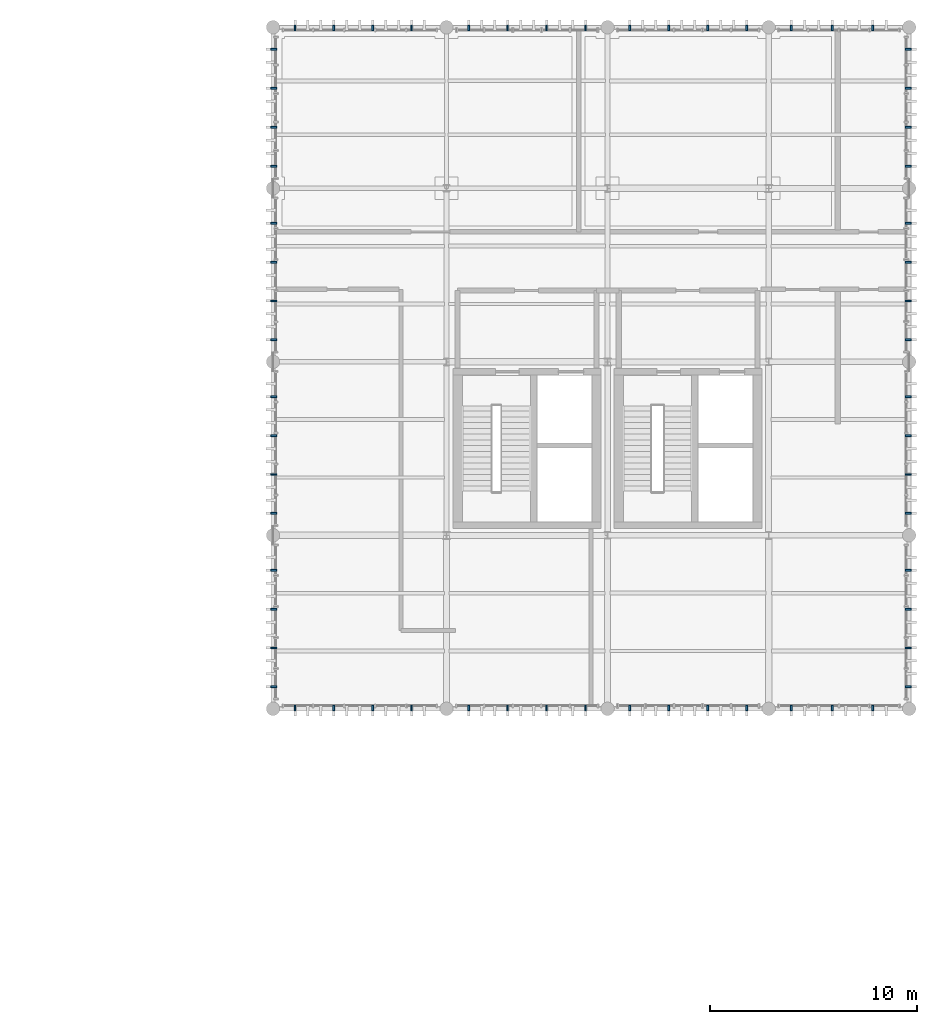
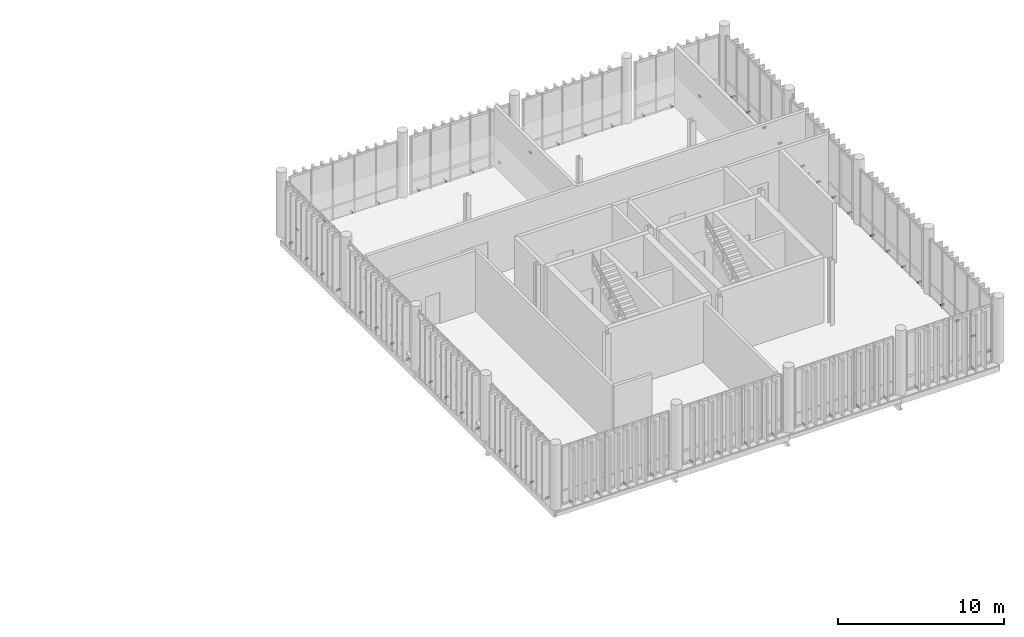
# One storey, part 79 of 86: 62 discrete accessories.
"""IFC4 building model written with IfcOpenShell, lengths in metres."""

from ifc_helpers import new_model, si_unit, direction, frame, origin_with_axes, origin_2d_with_axis, place, context, subcontext, project, spatial, rectangle, extrude, material, type_object, element, save


model = new_model("IFC4")

# Units and contexts
model_context = context("Model", 3, precision=1e-05, world=origin_with_axes(), true_north=direction((0.0, 1.0)))
body_context = subcontext(model_context, "Body", "Model", "MODEL_VIEW")
ifc_project = project(units=[si_unit("LENGTHUNIT", "METRE"), si_unit("AREAUNIT", "SQUARE_METRE"), si_unit("VOLUMEUNIT", "CUBIC_METRE"), si_unit("PLANEANGLEUNIT", "RADIAN"), si_unit("MASSUNIT", "GRAM", prefix="KILO"), si_unit("THERMODYNAMICTEMPERATUREUNIT", "KELVIN")], contexts=[model_context])

# Site, building, storey
site_placement = place(None, origin_with_axes())
site = spatial("IfcSite", under=ifc_project, at=site_placement, CompositionType="ELEMENT")
building_placement = place(site_placement, origin_with_axes())
building = spatial("IfcBuilding", under=site, at=building_placement, Name="Montbau Bow Law Courts", CompositionType="ELEMENT")
storey_placement = place(building_placement, frame((0.0, 0.0, 29.7), z_axis=(0.0, 0.0, 1.0), x_axis=(1.0, 0.0, 0.0)))
storey = spatial("IfcBuildingStorey", under=building, at=storey_placement, Name="L06", CompositionType="ELEMENT", Elevation=29.7)

# Discrete accessories
ifc_material = material(Name="Stainless Steel AISI 316L Outrigger Louvre Bracket", Category="steel")
discrete_accessory_type = type_object("IfcDiscreteAccessoryType", Name="DA-BRK-01", PredefinedType="BRACKET", material=ifc_material)
for number, where, z_axis, x_axis, name in (
    (1, (139.667, 78.04, 29.7), (0.0, 0.0, 1.0), (0.0, -1.0, 0.0), "BRK-L06-1163:brk_1163"),
    (2, (141.547, 78.04, 29.7), (0.0, 0.0, 1.0), (0.0, -1.0, 0.0), "BRK-L06-1164:brk_1164"),
    (3, (143.427, 78.04, 29.7), (0.0, 0.0, 1.0), (0.0, -1.0, 0.0), "BRK-L06-1165:brk_1165"),
    (4, (145.307, 78.04, 29.7), (0.0, 0.0, 1.0), (0.0, -1.0, 0.0), "BRK-L06-1166:brk_1166"),
    (5, (148.069, 78.04, 29.7), (0.0, 0.0, 1.0), (0.0, -1.0, 0.0), "BRK-L06-1167:brk_1167"),
    (6, (149.956, 78.04, 29.7), (0.0, 0.0, 1.0), (0.0, -1.0, 0.0), "BRK-L06-1168:brk_1168"),
    (7, (151.844, 78.04, 29.7), (0.0, 0.0, 1.0), (0.0, -1.0, 0.0), "BRK-L06-1169:brk_1169"),
    (8, (153.731, 78.04, 29.7), (0.0, 0.0, 1.0), (0.0, -1.0, 0.0), "BRK-L06-1170:brk_1170"),
    (9, (155.869, 78.04, 29.7), (0.0, 0.0, 1.0), (0.0, -1.0, 0.0), "BRK-L06-1171:brk_1171"),
    (10, (157.756, 78.04, 29.7), (0.0, 0.0, 1.0), (0.0, -1.0, 0.0), "BRK-L06-1172:brk_1172"),
    (11, (159.644, 78.04, 29.7), (0.0, 0.0, 1.0), (0.0, -1.0, 0.0), "BRK-L06-1173:brk_1173"),
    (12, (161.531, 78.04, 29.7), (0.0, 0.0, 1.0), (0.0, -1.0, 0.0), "BRK-L06-1174:brk_1174"),
    (13, (163.698, 78.04, 29.7), (0.0, 0.0, 1.0), (0.0, -1.0, 0.0), "BRK-L06-1175:brk_1175"),
    (14, (165.671, 78.04, 29.7), (0.0, 0.0, 1.0), (0.0, -1.0, 0.0), "BRK-L06-1176:brk_1176"),
    (15, (167.644, 78.04, 29.7), (0.0, 0.0, 1.0), (0.0, -1.0, 0.0), "BRK-L06-1177:brk_1177"),
    (16, (139.667, 110.96, 29.7), (0.0, 0.0, 1.0), (0.0, 1.0, 0.0), "BRK-L06-1178:brk_1178"),
    (17, (141.547, 110.96, 29.7), (0.0, 0.0, 1.0), (0.0, 1.0, 0.0), "BRK-L06-1179:brk_1179"),
    (18, (143.427, 110.96, 29.7), (0.0, 0.0, 1.0), (0.0, 1.0, 0.0), "BRK-L06-1180:brk_1180"),
    (19, (145.307, 110.96, 29.7), (0.0, 0.0, 1.0), (0.0, 1.0, 0.0), "BRK-L06-1181:brk_1181"),
    (20, (148.069, 110.96, 29.7), (0.0, 0.0, 1.0), (0.0, 1.0, 0.0), "BRK-L06-1182:brk_1182"),
    (21, (149.956, 110.96, 29.7), (0.0, 0.0, 1.0), (0.0, 1.0, 0.0), "BRK-L06-1183:brk_1183"),
    (22, (151.844, 110.96, 29.7), (0.0, 0.0, 1.0), (0.0, 1.0, 0.0), "BRK-L06-1184:brk_1184"),
    (23, (153.731, 110.96, 29.7), (0.0, 0.0, 1.0), (0.0, 1.0, 0.0), "BRK-L06-1185:brk_1185"),
    (24, (155.869, 110.96, 29.7), (0.0, 0.0, 1.0), (0.0, 1.0, 0.0), "BRK-L06-1186:brk_1186"),
    (25, (157.756, 110.96, 29.7), (0.0, 0.0, 1.0), (0.0, 1.0, 0.0), "BRK-L06-1187:brk_1187"),
    (26, (159.644, 110.96, 29.7), (0.0, 0.0, 1.0), (0.0, 1.0, 0.0), "BRK-L06-1188:brk_1188"),
    (27, (161.531, 110.96, 29.7), (0.0, 0.0, 1.0), (0.0, 1.0, 0.0), "BRK-L06-1189:brk_1189"),
    (28, (163.698, 110.96, 29.7), (0.0, 0.0, 1.0), (0.0, 1.0, 0.0), "BRK-L06-1190:brk_1190"),
    (29, (165.671, 110.96, 29.7), (0.0, 0.0, 1.0), (0.0, 1.0, 0.0), "BRK-L06-1191:brk_1191"),
    (30, (167.644, 110.96, 29.7), (0.0, 0.0, 1.0), (0.0, 1.0, 0.0), "BRK-L06-1192:brk_1192"),
    (31, (138.64, 79.067, 29.7), (0.0, 0.0, 1.0), (-1.0, 0.0, 0.0), "BRK-L06-1193:brk_1193"),
    (32, (138.64, 80.947, 29.7), (0.0, 0.0, 1.0), (-1.0, 0.0, 0.0), "BRK-L06-1194:brk_1194"),
    (33, (138.64, 82.827, 29.7), (0.0, 0.0, 1.0), (-1.0, 0.0, 0.0), "BRK-L06-1195:brk_1195"),
    (34, (138.64, 84.707, 29.7), (0.0, 0.0, 1.0), (-1.0, 0.0, 0.0), "BRK-L06-1196:brk_1196"),
    (35, (138.64, 87.467, 29.7), (0.0, 0.0, 1.0), (-1.0, 0.0, 0.0), "BRK-L06-1197:brk_1197"),
    (36, (138.64, 89.347, 29.7), (0.0, 0.0, 1.0), (-1.0, 0.0, 0.0), "BRK-L06-1198:brk_1198"),
    (37, (138.64, 91.227, 29.7), (0.0, 0.0, 1.0), (-1.0, 0.0, 0.0), "BRK-L06-1199:brk_1199"),
    (38, (138.64, 93.107, 29.7), (0.0, 0.0, 1.0), (-1.0, 0.0, 0.0), "BRK-L06-1200:brk_1200"),
    (39, (138.64, 95.867, 29.7), (0.0, 0.0, 1.0), (-1.0, 0.0, 0.0), "BRK-L06-1201:brk_1201"),
    (40, (138.64, 97.747, 29.7), (0.0, 0.0, 1.0), (-1.0, 0.0, 0.0), "BRK-L06-1202:brk_1202"),
    (41, (138.64, 99.627, 29.7), (0.0, 0.0, 1.0), (-1.0, 0.0, 0.0), "BRK-L06-1203:brk_1203"),
    (42, (138.64, 101.507, 29.7), (0.0, 0.0, 1.0), (-1.0, 0.0, 0.0), "BRK-L06-1204:brk_1204"),
    (43, (138.64, 104.269, 29.7), (0.0, 0.0, 1.0), (-1.0, 0.0, 0.0), "BRK-L06-1205:brk_1205"),
    (44, (138.64, 106.156, 29.7), (0.0, 0.0, 1.0), (-1.0, 0.0, 0.0), "BRK-L06-1206:brk_1206"),
    (45, (138.64, 108.044, 29.7), (0.0, 0.0, 1.0), (-1.0, 0.0, 0.0), "BRK-L06-1207:brk_1207"),
    (46, (138.64, 109.931, 29.7), (0.0, 0.0, 1.0), (-1.0, 0.0, 0.0), "BRK-L06-1208:brk_1208"),
    (47, (169.36, 79.067, 29.7), (0.0, 0.0, 1.0), (1.0, 0.0, 0.0), "BRK-L06-1209:brk_1209"),
    (48, (169.36, 80.947, 29.7), (0.0, 0.0, 1.0), (1.0, 0.0, 0.0), "BRK-L06-1210:brk_1210"),
    (49, (169.36, 82.827, 29.7), (0.0, 0.0, 1.0), (1.0, 0.0, 0.0), "BRK-L06-1211:brk_1211"),
    (50, (169.36, 84.707, 29.7), (0.0, 0.0, 1.0), (1.0, 0.0, 0.0), "BRK-L06-1212:brk_1212"),
    (51, (169.36, 87.467, 29.7), (0.0, 0.0, 1.0), (1.0, 0.0, 0.0), "BRK-L06-1213:brk_1213"),
    (52, (169.36, 89.347, 29.7), (0.0, 0.0, 1.0), (1.0, 0.0, 0.0), "BRK-L06-1214:brk_1214"),
    (53, (169.36, 91.227, 29.7), (0.0, 0.0, 1.0), (1.0, 0.0, 0.0), "BRK-L06-1215:brk_1215"),
    (54, (169.36, 93.107, 29.7), (0.0, 0.0, 1.0), (1.0, 0.0, 0.0), "BRK-L06-1216:brk_1216"),
    (55, (169.36, 95.867, 29.7), (0.0, 0.0, 1.0), (1.0, 0.0, 0.0), "BRK-L06-1217:brk_1217"),
    (56, (169.36, 97.747, 29.7), (0.0, 0.0, 1.0), (1.0, 0.0, 0.0), "BRK-L06-1218:brk_1218"),
    (57, (169.36, 99.627, 29.7), (0.0, 0.0, 1.0), (1.0, 0.0, 0.0), "BRK-L06-1219:brk_1219"),
    (58, (169.36, 101.507, 29.7), (0.0, 0.0, 1.0), (1.0, 0.0, 0.0), "BRK-L06-1220:brk_1220"),
    (59, (169.36, 104.269, 29.7), (0.0, 0.0, 1.0), (1.0, 0.0, 0.0), "BRK-L06-1221:brk_1221"),
    (60, (169.36, 106.156, 29.7), (0.0, 0.0, 1.0), (1.0, 0.0, 0.0), "BRK-L06-1222:brk_1222"),
    (61, (169.36, 108.044, 29.7), (0.0, 0.0, 1.0), (1.0, 0.0, 0.0), "BRK-L06-1223:brk_1223"),
    (62, (169.36, 109.931, 29.7), (0.0, 0.0, 1.0), (1.0, 0.0, 0.0), "BRK-L06-1224:brk_1224"),
):
    element("IfcDiscreteAccessory", number, at=place(None, frame(where, z_axis=z_axis, x_axis=x_axis)), inside=storey, type_object=discrete_accessory_type, Name=name, PredefinedType="BRACKET", context=body_context, shape_type="SweptSolid", body=[
        extrude(rectangle(XDim=0.28, YDim=0.09, at=origin_2d_with_axis()), origin_with_axes(), (0.0, 0.0, 1.0), 0.12),
    ])

save(model, "model.ifc")
